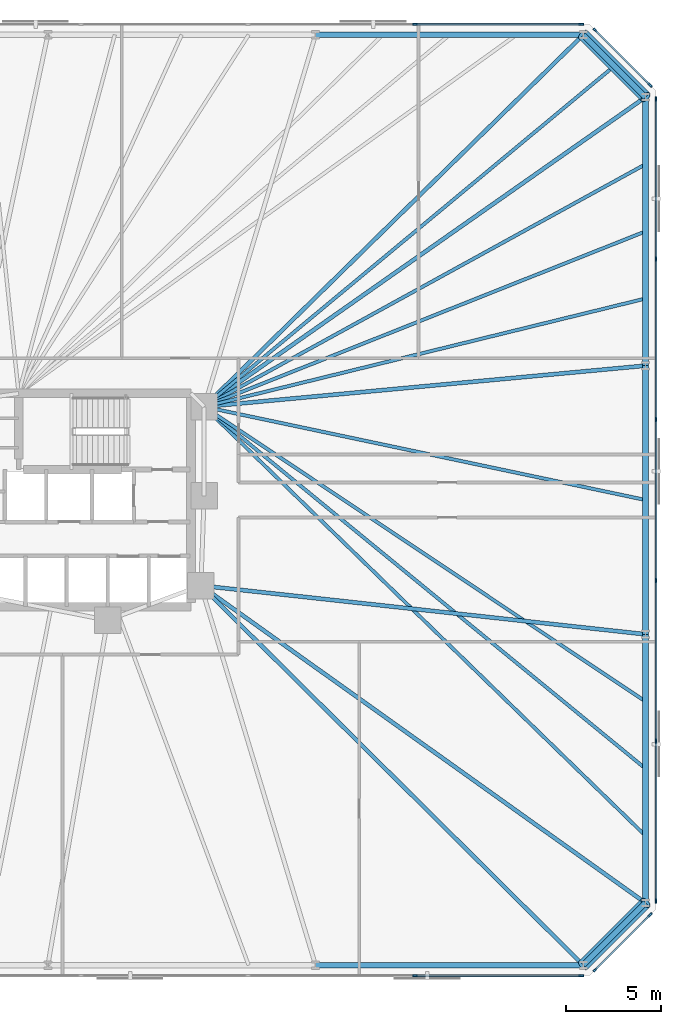
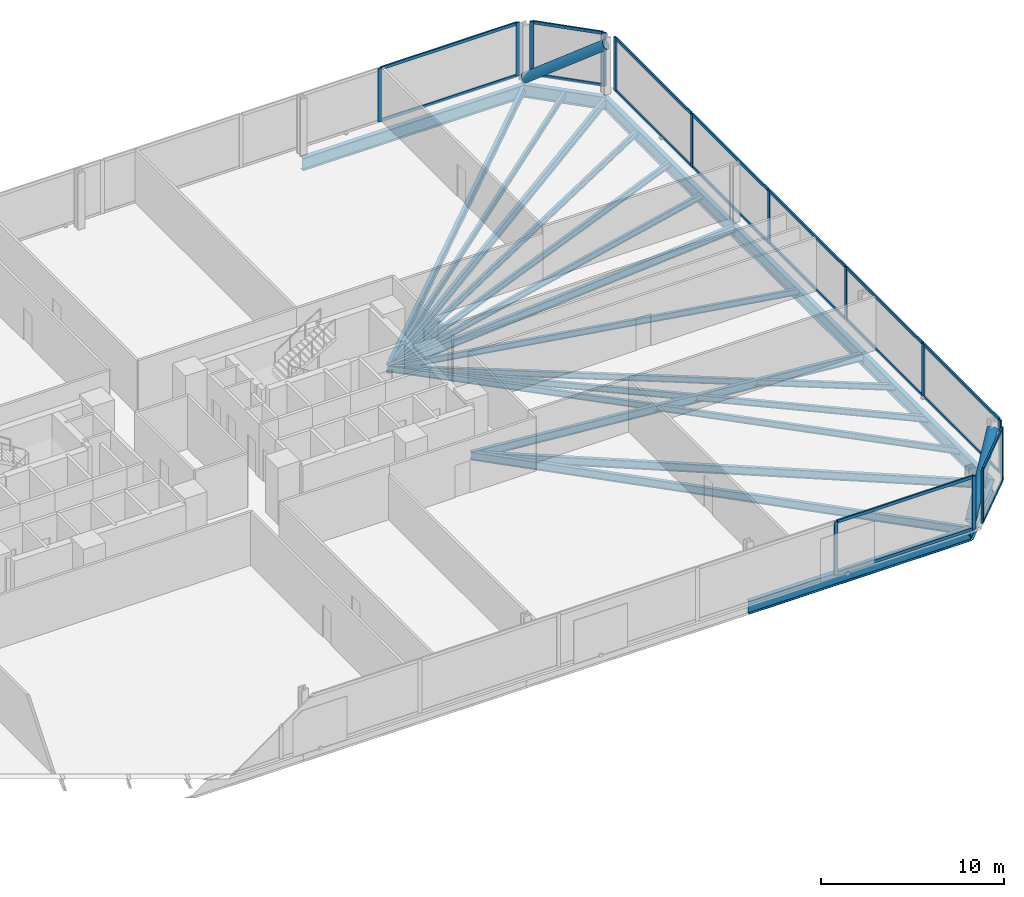
# One storey, part 10 of 17: 34 members, 21 beams, 5 elements without a shape of their own.
"""IFC4 building model written with IfcOpenShell, lengths in metres."""

from ifc_helpers import new_model, si_unit, direction, frame, origin, origin_2d, place, context, subcontext, project, spatial, rectangle, hollow_circle, i_section, extrude, material, material_profile, profile_set, type_object, element, aggregate, save


model = new_model("IFC4")

# Units and contexts
model_context = context("Model", 3, precision=1e-05, world=origin(), true_north=direction((0.0, 1.0)))
body_context = subcontext(model_context, "Body", "Model", "MODEL_VIEW")
ifc_project = project(units=[si_unit("LENGTHUNIT", "METRE"), si_unit("AREAUNIT", "SQUARE_METRE"), si_unit("VOLUMEUNIT", "CUBIC_METRE"), si_unit("PLANEANGLEUNIT", "RADIAN"), si_unit("MASSUNIT", "GRAM", prefix="KILO")], contexts=[model_context])

# Site, building, storey
site_placement = place(None, origin())
site = spatial("IfcSite", under=ifc_project, at=site_placement, CompositionType="ELEMENT")
building_placement = place(site_placement, origin())
building = spatial("IfcBuilding", under=site, at=building_placement, Name="Menara Jurai Vektor", CompositionType="ELEMENT")
storey_placement = place(building_placement, frame((0.0, 0.0, 48.39990234375)))
storey = spatial("IfcBuildingStorey", under=building, at=storey_placement, Name="L11", CompositionType="ELEMENT", Elevation=48.39990234375)

# Curtain wall, members
ifc_material_1 = material(Name="Anodised Pale Aluminium & Low-E Double Glazing", Category="aluminium")
curtain_wall_type = type_object("IfcCurtainWallType", Name="CW-BLK1", PredefinedType="NOTDEFINED", material=ifc_material_1)
curtain_wall_1_placement = place(storey_placement, origin())
curtain_wall_1 = element("IfcCurtainWall", 1, at=curtain_wall_1_placement, inside=storey, type_object=curtain_wall_type, Name="Unitised Curtain Wall L11 F01", PredefinedType="NOTDEFINED")
ifc_material_2 = material(Name="Anodised Pale Aluminium Mullion", Category="aluminium")
ifc_material_profile_1 = material_profile(ifc_material_2, rectangle(XDim=0.094970703125, YDim=0.239990234375, at=origin_2d()), Name="ALU MUL 95x240")
ifc_profile_set_1 = profile_set([ifc_material_profile_1], Name="Anodised Pale Aluminium Mullion")
member_type_1 = type_object("IfcMemberType", Name="CW-BLK1-MUL", PredefinedType="MULLION", material=ifc_profile_set_1)
member_1_placement = place(storey_placement, frame((26.340087890625, -25.0, 0.0), z_axis=(0.0, 0.0, 1.0), x_axis=(0.0, 1.0, 0.0)))
member_1 = element("IfcMember", 2, at=member_1_placement, type_object=member_type_1, Name="CW-01 mullion 8", PredefinedType="MULLION", context=body_context, shape_type="SweptSolid", body=[
    extrude(rectangle(XDim=0.094970703125, YDim=0.239990234375, at=origin_2d()), origin(), (0.0, 0.0, 1.0), 3.5751953125),
])
member_2_placement = place(storey_placement, frame((35.072509765625, -25.0, 0.0), z_axis=(0.0, 0.0, 1.0), x_axis=(0.0, 1.0, 0.0)))
member_2 = element("IfcMember", 3, at=member_2_placement, type_object=member_type_1, Name="CW-01 mullion 9", PredefinedType="MULLION", context=body_context, shape_type="SweptSolid", body=[
    extrude(rectangle(XDim=0.094970703125, YDim=0.239990234375, at=origin_2d()), origin(), (0.0, 0.0, 1.0), 3.5751953125),
])

curtain_wall_2_placement = place(storey_placement, origin())
curtain_wall_2 = element("IfcCurtainWall", 4, at=curtain_wall_2_placement, inside=storey, type_object=curtain_wall_type, Name="Unitised Curtain Wall L11 F02", PredefinedType="NOTDEFINED")
member_3_placement = place(storey_placement, frame((35.80224609375, -24.69775390625, 0.0), z_axis=(0.0, 0.0, 1.0), x_axis=(-0.707106781187, 0.707106781187, 0.0)))
member_3 = element("IfcMember", 5, at=member_3_placement, type_object=member_type_1, Name="CW-01 mullion 1", PredefinedType="MULLION", context=body_context, shape_type="SweptSolid", body=[
    extrude(rectangle(XDim=0.094970703125, YDim=0.239990234375, at=origin_2d()), origin(), (0.0, 0.0, 1.0), 3.5751953125),
])
member_4_placement = place(storey_placement, frame((38.69775390625, -21.80224609375, 0.0), z_axis=(0.0, 0.0, 1.0), x_axis=(-0.707106781187, 0.707106781187, 0.0)))
member_4 = element("IfcMember", 6, at=member_4_placement, type_object=member_type_1, Name="CW-01 mullion 2", PredefinedType="MULLION", context=body_context, shape_type="SweptSolid", body=[
    extrude(rectangle(XDim=0.094970703125, YDim=0.239990234375, at=origin_2d()), origin(), (0.0, 0.0, 1.0), 3.5751953125),
])

curtain_wall_3_placement = place(storey_placement, origin())
curtain_wall_3 = element("IfcCurtainWall", 7, at=curtain_wall_3_placement, inside=storey, type_object=curtain_wall_type, Name="Unitised Curtain Wall L11 F03", PredefinedType="NOTDEFINED")
member_5_placement = place(storey_placement, frame((39.0, -21.072509765625, 0.0), z_axis=(0.0, 0.0, 1.0), x_axis=(-1.0, 0.0, 0.0)))
member_5 = element("IfcMember", 8, at=member_5_placement, type_object=member_type_1, Name="CW-01 mullion 1", PredefinedType="MULLION", context=body_context, shape_type="SweptSolid", body=[
    extrude(rectangle(XDim=0.094970703125, YDim=0.239990234375, at=origin_2d()), origin(), (0.0, 0.0, 1.0), 3.5751953125),
])
member_6_placement = place(storey_placement, frame((39.0, -12.672119140625, 0.0), z_axis=(0.0, 0.0, 1.0), x_axis=(-1.0, 0.0, 0.0)))
member_6 = element("IfcMember", 9, at=member_6_placement, type_object=member_type_1, Name="CW-01 mullion 2", PredefinedType="MULLION", context=body_context, shape_type="SweptSolid", body=[
    extrude(rectangle(XDim=0.094970703125, YDim=0.239990234375, at=origin_2d()), origin(), (0.0, 0.0, 1.0), 3.5751953125),
])
member_7_placement = place(storey_placement, frame((39.0, -4.22412109375, 0.0), z_axis=(0.0, 0.0, 1.0), x_axis=(-1.0, 0.0, 0.0)))
member_7 = element("IfcMember", 10, at=member_7_placement, type_object=member_type_1, Name="CW-01 mullion 3", PredefinedType="MULLION", context=body_context, shape_type="SweptSolid", body=[
    extrude(rectangle(XDim=0.094970703125, YDim=0.239990234375, at=origin_2d()), origin(), (0.0, 0.0, 1.0), 3.5751953125),
])
member_8_placement = place(storey_placement, frame((39.0, 4.22412109375, 0.0), z_axis=(0.0, 0.0, 1.0), x_axis=(-1.0, 0.0, 0.0)))
member_8 = element("IfcMember", 11, at=member_8_placement, type_object=member_type_1, Name="CW-01 mullion 4", PredefinedType="MULLION", context=body_context, shape_type="SweptSolid", body=[
    extrude(rectangle(XDim=0.094970703125, YDim=0.239990234375, at=origin_2d()), origin(), (0.0, 0.0, 1.0), 3.5751953125),
])
member_9_placement = place(storey_placement, frame((39.0, 12.672119140625, 0.0), z_axis=(0.0, 0.0, 1.0), x_axis=(-1.0, 0.0, 0.0)))
member_9 = element("IfcMember", 12, at=member_9_placement, type_object=member_type_1, Name="CW-01 mullion 5", PredefinedType="MULLION", context=body_context, shape_type="SweptSolid", body=[
    extrude(rectangle(XDim=0.094970703125, YDim=0.239990234375, at=origin_2d()), origin(), (0.0, 0.0, 1.0), 3.5751953125),
])
member_10_placement = place(storey_placement, frame((39.0, 21.072509765625, 0.0), z_axis=(0.0, 0.0, 1.0), x_axis=(-1.0, 0.0, 0.0)))
member_10 = element("IfcMember", 13, at=member_10_placement, type_object=member_type_1, Name="CW-01 mullion 6", PredefinedType="MULLION", context=body_context, shape_type="SweptSolid", body=[
    extrude(rectangle(XDim=0.094970703125, YDim=0.239990234375, at=origin_2d()), origin(), (0.0, 0.0, 1.0), 3.5751953125),
])

curtain_wall_4_placement = place(storey_placement, origin())
curtain_wall_4 = element("IfcCurtainWall", 14, at=curtain_wall_4_placement, inside=storey, type_object=curtain_wall_type, Name="Unitised Curtain Wall L11 F04", PredefinedType="NOTDEFINED")
member_11_placement = place(storey_placement, frame((38.69775390625, 21.80224609375, 0.0), z_axis=(0.0, 0.0, 1.0), x_axis=(-0.707106781187, -0.707106781187, 0.0)))
member_11 = element("IfcMember", 15, at=member_11_placement, type_object=member_type_1, Name="CW-01 mullion 1", PredefinedType="MULLION", context=body_context, shape_type="SweptSolid", body=[
    extrude(rectangle(XDim=0.094970703125, YDim=0.239990234375, at=origin_2d()), origin(), (0.0, 0.0, 1.0), 3.5751953125),
])
member_12_placement = place(storey_placement, frame((35.80224609375, 24.69775390625, 0.0), z_axis=(0.0, 0.0, 1.0), x_axis=(-0.707106781187, -0.707106781187, 0.0)))
member_12 = element("IfcMember", 16, at=member_12_placement, type_object=member_type_1, Name="CW-01 mullion 2", PredefinedType="MULLION", context=body_context, shape_type="SweptSolid", body=[
    extrude(rectangle(XDim=0.094970703125, YDim=0.239990234375, at=origin_2d()), origin(), (0.0, 0.0, 1.0), 3.5751953125),
])

curtain_wall_5_placement = place(storey_placement, origin())
curtain_wall_5 = element("IfcCurtainWall", 17, at=curtain_wall_5_placement, inside=storey, type_object=curtain_wall_type, Name="Unitised Curtain Wall L11 F05", PredefinedType="NOTDEFINED")
member_13_placement = place(storey_placement, frame((35.072509765625, 25.0, 0.0), z_axis=(0.0, 0.0, 1.0), x_axis=(0.0, -1.0, 0.0)))
member_13 = element("IfcMember", 18, at=member_13_placement, type_object=member_type_1, Name="CW-01 mullion 1", PredefinedType="MULLION", context=body_context, shape_type="SweptSolid", body=[
    extrude(rectangle(XDim=0.094970703125, YDim=0.239990234375, at=origin_2d()), origin(), (0.0, 0.0, 1.0), 3.5751953125),
])
member_14_placement = place(storey_placement, frame((26.340087890625, 25.0, 0.0), z_axis=(0.0, 0.0, 1.0), x_axis=(0.0, -1.0, 0.0)))
member_14 = element("IfcMember", 19, at=member_14_placement, type_object=member_type_1, Name="CW-01 mullion 2", PredefinedType="MULLION", context=body_context, shape_type="SweptSolid", body=[
    extrude(rectangle(XDim=0.094970703125, YDim=0.239990234375, at=origin_2d()), origin(), (0.0, 0.0, 1.0), 3.5751953125),
])

# Member
ifc_material_3 = material(Name="Anodised Pale Aluminium Transom", Category="aluminium")
ifc_material_profile_2 = material_profile(ifc_material_3, rectangle(XDim=0.094970703125, YDim=0.199951171875, at=origin_2d()), Name="ALU TRN 95x200")
ifc_profile_set_2 = profile_set([ifc_material_profile_2], Name="Anodised Pale Aluminium Transom")
member_type_2 = type_object("IfcMemberType", Name="CW-BLK1-TRN", PredefinedType="USERDEFINED", material=ifc_profile_set_2)
member_15_placement = place(storey_placement, frame((26.387451171875, -25.0, 0.047607421875), z_axis=(1.0, 0.0, 0.0), x_axis=(0.0, 1.0, 0.0)))
member_15 = element("IfcMember", 20, at=member_15_placement, type_object=member_type_2, Name="CW-01 transom 8.1", ObjectType="TRANSOM", PredefinedType="USERDEFINED", context=body_context, shape_type="SweptSolid", body=[
    extrude(rectangle(XDim=0.094970703125, YDim=0.199951171875, at=origin_2d()), origin(), (0.0, 0.0, 1.0), 8.637451171875),
])

member_16_placement = place(storey_placement, frame((26.387451171875, -25.0, 3.527587890625), z_axis=(1.0, 0.0, 0.0), x_axis=(0.0, 1.0, 0.0)))
member_16 = element("IfcMember", 21, at=member_16_placement, type_object=member_type_2, Name="CW-01 transom 8.2", ObjectType="TRANSOM", PredefinedType="USERDEFINED", context=body_context, shape_type="SweptSolid", body=[
    extrude(rectangle(XDim=0.094970703125, YDim=0.199951171875, at=origin_2d()), origin(), (0.0, 0.0, 1.0), 8.637451171875),
])

aggregate(curtain_wall_1, [member_1, member_2, member_15, member_16])

member_17_placement = place(storey_placement, frame((35.8359375, -24.6640625, 0.047607421875), z_axis=(0.707106781187, 0.707106781187, 0.0), x_axis=(-0.707106781187, 0.707106781187, 0.0)))
member_17 = element("IfcMember", 22, at=member_17_placement, type_object=member_type_2, Name="CW-01 transom 1.1", ObjectType="TRANSOM", PredefinedType="USERDEFINED", context=body_context, shape_type="SweptSolid", body=[
    extrude(rectangle(XDim=0.094970703125, YDim=0.199951171875, at=origin_2d()), origin(), (0.0, 0.0, 1.0), 3.99951171875),
])

member_18_placement = place(storey_placement, frame((35.8359375, -24.6640625, 3.527587890625), z_axis=(0.707106781187, 0.707106781187, 0.0), x_axis=(-0.707106781187, 0.707106781187, 0.0)))
member_18 = element("IfcMember", 23, at=member_18_placement, type_object=member_type_2, Name="CW-01 transom 1.2", ObjectType="TRANSOM", PredefinedType="USERDEFINED", context=body_context, shape_type="SweptSolid", body=[
    extrude(rectangle(XDim=0.094970703125, YDim=0.199951171875, at=origin_2d()), origin(), (0.0, 0.0, 1.0), 3.99951171875),
])

aggregate(curtain_wall_2, [member_3, member_4, member_17, member_18])

member_19_placement = place(storey_placement, frame((39.0, -21.02490234375, 0.047607421875), z_axis=(0.0, 1.0, 0.0), x_axis=(-1.0, 0.0, 0.0)))
member_19 = element("IfcMember", 24, at=member_19_placement, type_object=member_type_2, Name="CW-01 transom 1.1", ObjectType="TRANSOM", PredefinedType="USERDEFINED", context=body_context, shape_type="SweptSolid", body=[
    extrude(rectangle(XDim=0.094970703125, YDim=0.199951171875, at=origin_2d()), origin(), (0.0, 0.0, 1.0), 8.305419921875),
])

member_20_placement = place(storey_placement, frame((39.0, -21.02490234375, 3.527587890625), z_axis=(0.0, 1.0, 0.0), x_axis=(-1.0, 0.0, 0.0)))
member_20 = element("IfcMember", 25, at=member_20_placement, type_object=member_type_2, Name="CW-01 transom 1.2", ObjectType="TRANSOM", PredefinedType="USERDEFINED", context=body_context, shape_type="SweptSolid", body=[
    extrude(rectangle(XDim=0.094970703125, YDim=0.199951171875, at=origin_2d()), origin(), (0.0, 0.0, 1.0), 8.305419921875),
])

member_21_placement = place(storey_placement, frame((39.0, -12.62451171875, 0.047607421875), z_axis=(0.0, 1.0, 0.0), x_axis=(-1.0, 0.0, 0.0)))
member_21 = element("IfcMember", 26, at=member_21_placement, type_object=member_type_2, Name="CW-01 transom 2.1", ObjectType="TRANSOM", PredefinedType="USERDEFINED", context=body_context, shape_type="SweptSolid", body=[
    extrude(rectangle(XDim=0.094970703125, YDim=0.199951171875, at=origin_2d()), origin(), (0.0, 0.0, 1.0), 8.35302734375),
])

member_22_placement = place(storey_placement, frame((39.0, -12.62451171875, 3.527587890625), z_axis=(0.0, 1.0, 0.0), x_axis=(-1.0, 0.0, 0.0)))
member_22 = element("IfcMember", 27, at=member_22_placement, type_object=member_type_2, Name="CW-01 transom 2.2", ObjectType="TRANSOM", PredefinedType="USERDEFINED", context=body_context, shape_type="SweptSolid", body=[
    extrude(rectangle(XDim=0.094970703125, YDim=0.199951171875, at=origin_2d()), origin(), (0.0, 0.0, 1.0), 8.35302734375),
])

member_23_placement = place(storey_placement, frame((39.0, -4.176513671875, 0.047607421875), z_axis=(0.0, 1.0, 0.0), x_axis=(-1.0, 0.0, 0.0)))
member_23 = element("IfcMember", 28, at=member_23_placement, type_object=member_type_2, Name="CW-01 transom 3.1", ObjectType="TRANSOM", PredefinedType="USERDEFINED", context=body_context, shape_type="SweptSolid", body=[
    extrude(rectangle(XDim=0.094970703125, YDim=0.199951171875, at=origin_2d()), origin(), (0.0, 0.0, 1.0), 8.35302734375),
])

member_24_placement = place(storey_placement, frame((39.0, -4.176513671875, 3.527587890625), z_axis=(0.0, 1.0, 0.0), x_axis=(-1.0, 0.0, 0.0)))
member_24 = element("IfcMember", 29, at=member_24_placement, type_object=member_type_2, Name="CW-01 transom 3.2", ObjectType="TRANSOM", PredefinedType="USERDEFINED", context=body_context, shape_type="SweptSolid", body=[
    extrude(rectangle(XDim=0.094970703125, YDim=0.199951171875, at=origin_2d()), origin(), (0.0, 0.0, 1.0), 8.35302734375),
])

member_25_placement = place(storey_placement, frame((39.0, 4.271484375, 0.047607421875), z_axis=(0.0, 1.0, 0.0), x_axis=(-1.0, 0.0, 0.0)))
member_25 = element("IfcMember", 30, at=member_25_placement, type_object=member_type_2, Name="CW-01 transom 4.1", ObjectType="TRANSOM", PredefinedType="USERDEFINED", context=body_context, shape_type="SweptSolid", body=[
    extrude(rectangle(XDim=0.094970703125, YDim=0.199951171875, at=origin_2d()), origin(), (0.0, 0.0, 1.0), 8.35302734375),
])

member_26_placement = place(storey_placement, frame((39.0, 4.271484375, 3.527587890625), z_axis=(0.0, 1.0, 0.0), x_axis=(-1.0, 0.0, 0.0)))
member_26 = element("IfcMember", 31, at=member_26_placement, type_object=member_type_2, Name="CW-01 transom 4.2", ObjectType="TRANSOM", PredefinedType="USERDEFINED", context=body_context, shape_type="SweptSolid", body=[
    extrude(rectangle(XDim=0.094970703125, YDim=0.199951171875, at=origin_2d()), origin(), (0.0, 0.0, 1.0), 8.35302734375),
])

member_27_placement = place(storey_placement, frame((39.0, 12.719482421875, 0.047607421875), z_axis=(0.0, 1.0, 0.0), x_axis=(-1.0, 0.0, 0.0)))
member_27 = element("IfcMember", 32, at=member_27_placement, type_object=member_type_2, Name="CW-01 transom 5.1", ObjectType="TRANSOM", PredefinedType="USERDEFINED", context=body_context, shape_type="SweptSolid", body=[
    extrude(rectangle(XDim=0.094970703125, YDim=0.199951171875, at=origin_2d()), origin(), (0.0, 0.0, 1.0), 8.305419921875),
])

member_28_placement = place(storey_placement, frame((39.0, 12.719482421875, 3.527587890625), z_axis=(0.0, 1.0, 0.0), x_axis=(-1.0, 0.0, 0.0)))
member_28 = element("IfcMember", 33, at=member_28_placement, type_object=member_type_2, Name="CW-01 transom 5.2", ObjectType="TRANSOM", PredefinedType="USERDEFINED", context=body_context, shape_type="SweptSolid", body=[
    extrude(rectangle(XDim=0.094970703125, YDim=0.199951171875, at=origin_2d()), origin(), (0.0, 0.0, 1.0), 8.305419921875),
])

aggregate(curtain_wall_3, [member_5, member_6, member_7, member_8, member_9, member_10, member_19, member_20, member_21, member_22, member_23, member_24, member_25, member_26, member_27, member_28])

member_29_placement = place(storey_placement, frame((38.6640625, 21.8359375, 0.047607421875), z_axis=(-0.707106781187, 0.707106781187, 0.0), x_axis=(-0.707106781187, -0.707106781187, 0.0)))
member_29 = element("IfcMember", 34, at=member_29_placement, type_object=member_type_2, Name="CW-01 transom 1.1", ObjectType="TRANSOM", PredefinedType="USERDEFINED", context=body_context, shape_type="SweptSolid", body=[
    extrude(rectangle(XDim=0.094970703125, YDim=0.199951171875, at=origin_2d()), origin(), (0.0, 0.0, 1.0), 3.99951171875),
])

member_30_placement = place(storey_placement, frame((38.6640625, 21.8359375, 3.527587890625), z_axis=(-0.707106781187, 0.707106781187, 0.0), x_axis=(-0.707106781187, -0.707106781187, 0.0)))
member_30 = element("IfcMember", 35, at=member_30_placement, type_object=member_type_2, Name="CW-01 transom 1.2", ObjectType="TRANSOM", PredefinedType="USERDEFINED", context=body_context, shape_type="SweptSolid", body=[
    extrude(rectangle(XDim=0.094970703125, YDim=0.199951171875, at=origin_2d()), origin(), (0.0, 0.0, 1.0), 3.99951171875),
])

aggregate(curtain_wall_4, [member_11, member_12, member_29, member_30])

member_31_placement = place(storey_placement, frame((35.02490234375, 25.0, 0.047607421875), z_axis=(-1.0, 0.0, 0.0), x_axis=(0.0, -1.0, 0.0)))
member_31 = element("IfcMember", 36, at=member_31_placement, type_object=member_type_2, Name="CW-01 transom 1.1", ObjectType="TRANSOM", PredefinedType="USERDEFINED", context=body_context, shape_type="SweptSolid", body=[
    extrude(rectangle(XDim=0.094970703125, YDim=0.199951171875, at=origin_2d()), origin(), (0.0, 0.0, 1.0), 8.637451171875),
])

member_32_placement = place(storey_placement, frame((35.02490234375, 25.0, 3.527587890625), z_axis=(-1.0, 0.0, 0.0), x_axis=(0.0, -1.0, 0.0)))
member_32 = element("IfcMember", 37, at=member_32_placement, type_object=member_type_2, Name="CW-01 transom 1.2", ObjectType="TRANSOM", PredefinedType="USERDEFINED", context=body_context, shape_type="SweptSolid", body=[
    extrude(rectangle(XDim=0.094970703125, YDim=0.199951171875, at=origin_2d()), origin(), (0.0, 0.0, 1.0), 8.637451171875),
])

aggregate(curtain_wall_5, [member_13, member_14, member_31, member_32])

# Beams
ifc_material_4 = material(Name="Steel S355", Category="steel")
ifc_material_profile_3 = material_profile(ifc_material_4, i_section(OverallWidth=0.2109375, OverallDepth=0.5390625, WebThickness=0.011962890625, FlangeThickness=0.01904296875, FilletRadius=0.012939453125, at=origin_2d()), Name="UKB 533x210x109")
ifc_profile_set_3 = profile_set([ifc_material_profile_3], Name="Steel S355")
beam_type_1 = type_object("IfcBeamType", Name="STR-BM-533", PredefinedType="BEAM", material=ifc_profile_set_3)
beam_1_placement = place(storey_placement, frame((35.177734375, -24.449951171875, -0.494384765625), z_axis=(-0.709709931659, 0.704494011972, 0.0), x_axis=(-0.704494011972, -0.709709931659, 0.0)))
element("IfcBeam", 38, at=beam_1_placement, inside=storey, type_object=beam_type_1, Name="Radial Floor Girder L11-S6", PredefinedType="BEAM", context=body_context, shape_type="SweptSolid", body=[
    extrude(i_section(OverallWidth=0.2109375, OverallDepth=0.5390625, WebThickness=0.011962890625, FlangeThickness=0.01904296875, FilletRadius=0.012939453125, at=origin_2d()), origin(), (0.0, 0.0, 1.0), 28.318115234375),
])
beam_2_placement = place(storey_placement, frame((38.449951171875, -21.177734375, -0.494384765625), z_axis=(-0.813981033216, 0.580891450759, 0.0), x_axis=(-0.580891450759, -0.813981033216, 0.0)))
element("IfcBeam", 39, at=beam_2_placement, inside=storey, type_object=beam_type_1, Name="Radial Floor Girder L11-E1", PredefinedType="BEAM", context=body_context, shape_type="SweptSolid", body=[
    extrude(i_section(OverallWidth=0.2109375, OverallDepth=0.5390625, WebThickness=0.011962890625, FlangeThickness=0.01904296875, FilletRadius=0.012939453125, at=origin_2d()), origin(), (0.0, 0.0, 1.0), 28.710693359375),
])
beam_3_placement = place(storey_placement, frame((38.449951171875, -7.059326171875, -0.494384765625), z_axis=(-0.994056757953, 0.108863042253, 0.0), x_axis=(-0.108863042253, -0.994056757953, 0.0)))
element("IfcBeam", 40, at=beam_3_placement, inside=storey, type_object=beam_type_1, Name="Radial Floor Girder L11-E2", PredefinedType="BEAM", context=body_context, shape_type="SweptSolid", body=[
    extrude(i_section(OverallWidth=0.2109375, OverallDepth=0.5390625, WebThickness=0.011962890625, FlangeThickness=0.01904296875, FilletRadius=0.012939453125, at=origin_2d()), origin(), (0.0, 0.0, 1.0), 23.509521484375),
])
beam_4_placement = place(storey_placement, frame((38.449951171875, 7.059326171875, -0.494384765625), z_axis=(-0.995696113112, -0.092678208514, 0.0), x_axis=(0.092678208514, -0.995696113112, 0.0)))
element("IfcBeam", 41, at=beam_4_placement, inside=storey, type_object=beam_type_1, Name="Radial Floor Girder L11-E3", PredefinedType="BEAM", context=body_context, shape_type="SweptSolid", body=[
    extrude(i_section(OverallWidth=0.2109375, OverallDepth=0.5390625, WebThickness=0.011962890625, FlangeThickness=0.01904296875, FilletRadius=0.012939453125, at=origin_2d()), origin(), (0.0, 0.0, 1.0), 23.30029296875),
])
beam_5_placement = place(storey_placement, frame((38.449951171875, 21.177734375, -0.494384765625), z_axis=(-0.818603732445, -0.574358711283, 0.0), x_axis=(0.574358711283, -0.818603732445, 0.0)))
element("IfcBeam", 42, at=beam_5_placement, inside=storey, type_object=beam_type_1, Name="Radial Floor Girder L11-E4", PredefinedType="BEAM", context=body_context, shape_type="SweptSolid", body=[
    extrude(i_section(OverallWidth=0.2109375, OverallDepth=0.5390625, WebThickness=0.011962890625, FlangeThickness=0.01904296875, FilletRadius=0.012939453125, at=origin_2d()), origin(), (0.0, 0.0, 1.0), 28.3408203125),
])
beam_6_placement = place(storey_placement, frame((35.177734375, 24.449951171875, -0.494384765625), z_axis=(-0.713839032855, -0.700309813706, 0.0), x_axis=(0.700309813706, -0.713839032855, 0.0)))
element("IfcBeam", 43, at=beam_6_placement, inside=storey, type_object=beam_type_1, Name="Radial Floor Girder L11-N1", PredefinedType="BEAM", context=body_context, shape_type="SweptSolid", body=[
    extrude(i_section(OverallWidth=0.2109375, OverallDepth=0.5390625, WebThickness=0.011962890625, FlangeThickness=0.01904296875, FilletRadius=0.012939453125, at=origin_2d()), origin(), (0.0, 0.0, 1.0), 27.916259765625),
])

# Members
ifc_material_5 = material(Name="Steel S460", Category="steel")
ifc_material_profile_4 = material_profile(ifc_material_5, hollow_circle(Radius=0.304931640625, WallThickness=0.02490234375, at=origin_2d()), Name="CHS 610x25")
ifc_profile_set_4 = profile_set([ifc_material_profile_4], Name="Steel S460")
member_type_3 = type_object("IfcMemberType", Name="STR-BR-610", PredefinedType="BRACE", material=ifc_profile_set_4)
for number, where, z_axis, x_axis, name in (
    (44, (35.177734375, -24.449951171875, 0.150146484375), (0.588942422958, 0.588942422958, 0.553438022619), (-0.707106781187, 0.707106781187, 0.0), "Exoskeleton Corner Brace L11-1"),
    (45, (35.177734375, 24.449951171875, 0.150146484375), (0.588942422958, -0.588942422958, 0.553438022619), (0.707106781187, 0.707106781187, 0.0), "Exoskeleton Corner Brace L11-2"),
):
    element("IfcMember", number, at=place(storey_placement, frame(where, z_axis=z_axis, x_axis=x_axis)), inside=storey, type_object=member_type_3, Name=name, PredefinedType="BRACE", context=body_context, shape_type="SweptSolid", body=[
        extrude(hollow_circle(Radius=0.304931640625, WallThickness=0.02490234375, at=origin_2d()), origin(), (0.0, 0.0, 1.0), 5.55615234375),
    ])

# Beams
ifc_material_profile_5 = material_profile(ifc_material_4, i_section(OverallWidth=0.178955078125, OverallDepth=0.408935546875, WebThickness=0.009033203125, FlangeThickness=0.013916015625, FilletRadius=0.010009765625, at=origin_2d()), Name="UKB 406x178x67")
ifc_profile_set_5 = profile_set([ifc_material_profile_5], Name="Steel S355")
beam_type_2 = type_object("IfcBeamType", Name="STR-JS-406", PredefinedType="JOIST", material=ifc_profile_set_5)
beam_7_placement = place(storey_placement, frame((38.449951171875, -17.648193359375, -0.429443359375), z_axis=(-0.71710942187, 0.696960599363, 0.0), x_axis=(-0.696960599363, -0.71710942187, 0.0)))
element("IfcBeam", 46, at=beam_7_placement, inside=storey, type_object=beam_type_2, Name="Radial Secondary Floor Joist L11-JS08", PredefinedType="JOIST", context=body_context, shape_type="SweptSolid", body=[
    extrude(i_section(OverallWidth=0.178955078125, OverallDepth=0.408935546875, WebThickness=0.009033203125, FlangeThickness=0.013916015625, FilletRadius=0.010009765625, at=origin_2d()), origin(), (0.0, 0.0, 1.0), 32.35205078125),
])
beam_8_placement = place(storey_placement, frame((38.449951171875, -14.118408203125, -0.429443359375), z_axis=(-0.773360118456, 0.633966976413, 0.0), x_axis=(-0.633966976413, -0.773360118456, 0.0)))
element("IfcBeam", 47, at=beam_8_placement, inside=storey, type_object=beam_type_2, Name="Radial Secondary Floor Joist L11-JS09", PredefinedType="JOIST", context=body_context, shape_type="SweptSolid", body=[
    extrude(i_section(OverallWidth=0.178955078125, OverallDepth=0.408935546875, WebThickness=0.009033203125, FlangeThickness=0.013916015625, FilletRadius=0.010009765625, at=origin_2d()), origin(), (0.0, 0.0, 1.0), 29.998779296875),
])
beam_9_placement = place(storey_placement, frame((38.449951171875, -10.5888671875, -0.429443359375), z_axis=(-0.831683872109, 0.555249436627, 0.0), x_axis=(-0.555249436627, -0.831683872109, 0.0)))
element("IfcBeam", 48, at=beam_9_placement, inside=storey, type_object=beam_type_2, Name="Radial Secondary Floor Joist L11-JS10", PredefinedType="JOIST", context=body_context, shape_type="SweptSolid", body=[
    extrude(i_section(OverallWidth=0.178955078125, OverallDepth=0.408935546875, WebThickness=0.009033203125, FlangeThickness=0.013916015625, FilletRadius=0.010009765625, at=origin_2d()), origin(), (0.0, 0.0, 1.0), 27.895263671875),
])
beam_10_placement = place(storey_placement, frame((38.449951171875, 0.0, -0.429443359375), z_axis=(-0.978416084102, 0.206644541109, 0.0), x_axis=(-0.206644541109, -0.978416084102, 0.0)))
element("IfcBeam", 49, at=beam_10_placement, inside=storey, type_object=beam_type_2, Name="Radial Secondary Floor Joist L11-JS11", PredefinedType="JOIST", context=body_context, shape_type="SweptSolid", body=[
    extrude(i_section(OverallWidth=0.178955078125, OverallDepth=0.408935546875, WebThickness=0.009033203125, FlangeThickness=0.013916015625, FilletRadius=0.010009765625, at=origin_2d()), origin(), (0.0, 0.0, 1.0), 23.711669921875),
])
beam_11_placement = place(storey_placement, frame((38.449951171875, 10.5888671875, -0.429443359375), z_axis=(-0.971226234641, -0.238158772976, 0.0), x_axis=(0.238158772976, -0.971226234641, 0.0)))
element("IfcBeam", 50, at=beam_11_placement, inside=storey, type_object=beam_type_2, Name="Radial Secondary Floor Joist L11-JS12", PredefinedType="JOIST", context=body_context, shape_type="SweptSolid", body=[
    extrude(i_section(OverallWidth=0.178955078125, OverallDepth=0.408935546875, WebThickness=0.009033203125, FlangeThickness=0.013916015625, FilletRadius=0.010009765625, at=origin_2d()), origin(), (0.0, 0.0, 1.0), 23.88720703125),
])
beam_12_placement = place(storey_placement, frame((38.449951171875, 14.118408203125, -0.429443359375), z_axis=(-0.929323400723, -0.369266864027, 0.0), x_axis=(0.369266864027, -0.929323400723, 0.0)))
element("IfcBeam", 51, at=beam_12_placement, inside=storey, type_object=beam_type_2, Name="Radial Secondary Floor Joist L11-JS13", PredefinedType="JOIST", context=body_context, shape_type="SweptSolid", body=[
    extrude(i_section(OverallWidth=0.178955078125, OverallDepth=0.408935546875, WebThickness=0.009033203125, FlangeThickness=0.013916015625, FilletRadius=0.010009765625, at=origin_2d()), origin(), (0.0, 0.0, 1.0), 24.96435546875),
])
beam_13_placement = place(storey_placement, frame((38.449951171875, 17.648193359375, -0.429443359375), z_axis=(-0.87640219057, -0.481579900291, 0.0), x_axis=(0.481579900291, -0.87640219057, 0.0)))
element("IfcBeam", 52, at=beam_13_placement, inside=storey, type_object=beam_type_2, Name="Radial Secondary Floor Joist L11-JS14", PredefinedType="JOIST", context=body_context, shape_type="SweptSolid", body=[
    extrude(i_section(OverallWidth=0.178955078125, OverallDepth=0.408935546875, WebThickness=0.009033203125, FlangeThickness=0.013916015625, FilletRadius=0.010009765625, at=origin_2d()), origin(), (0.0, 0.0, 1.0), 26.471923828125),
])
beam_14_placement = place(storey_placement, frame((36.81396484375, 22.81396484375, -0.429443359375), z_axis=(-0.769201173096, -0.639006694259, 0.0), x_axis=(0.639006694259, -0.769201173096, 0.0)))
element("IfcBeam", 53, at=beam_14_placement, inside=storey, type_object=beam_type_2, Name="Radial Secondary Floor Joist L11-JS15", PredefinedType="JOIST", context=body_context, shape_type="SweptSolid", body=[
    extrude(i_section(OverallWidth=0.178955078125, OverallDepth=0.408935546875, WebThickness=0.009033203125, FlangeThickness=0.013916015625, FilletRadius=0.010009765625, at=origin_2d()), origin(), (0.0, 0.0, 1.0), 28.0341796875),
])
ifc_material_profile_6 = material_profile(ifc_material_5, i_section(OverallWidth=0.2939453125, OverallDepth=0.85107421875, WebThickness=0.01611328125, FlangeThickness=0.027099609375, FilletRadius=0.01806640625, at=origin_2d()), Name="UKB 838x292x226")
ifc_profile_set_6 = profile_set([ifc_material_profile_6], Name="Steel S460")
beam_type_3 = type_object("IfcBeamType", Name="STR-SP-838", PredefinedType="SPANDREL", material=ifc_profile_set_6)
beam_15_placement = place(storey_placement, frame((21.106689453125, -24.449951171875, -0.650390625), z_axis=(1.0, 0.0, 0.0), x_axis=(0.0, 1.0, 0.0)))
element("IfcBeam", 54, at=beam_15_placement, inside=storey, type_object=beam_type_3, Name="Exoskeleton Spandrel Beam L11-05", PredefinedType="SPANDREL", context=body_context, shape_type="SweptSolid", body=[
    extrude(i_section(OverallWidth=0.2939453125, OverallDepth=0.85107421875, WebThickness=0.01611328125, FlangeThickness=0.027099609375, FilletRadius=0.01806640625, at=origin_2d()), origin(), (0.0, 0.0, 1.0), 14.071044921875),
])
beam_16_placement = place(storey_placement, frame((35.177734375, -24.449951171875, -0.650390625), z_axis=(0.707106781187, 0.707106781187, 0.0), x_axis=(-0.707106781187, 0.707106781187, 0.0)))
element("IfcBeam", 55, at=beam_16_placement, inside=storey, type_object=beam_type_3, Name="Exoskeleton Spandrel Beam L11-06", PredefinedType="SPANDREL", context=body_context, shape_type="SweptSolid", body=[
    extrude(i_section(OverallWidth=0.2939453125, OverallDepth=0.85107421875, WebThickness=0.01611328125, FlangeThickness=0.027099609375, FilletRadius=0.01806640625, at=origin_2d()), origin(), (0.0, 0.0, 1.0), 4.627685546875),
])
beam_17_placement = place(storey_placement, frame((38.449951171875, -21.177734375, -0.650390625), z_axis=(0.0, 1.0, 0.0), x_axis=(-1.0, 0.0, 0.0)))
element("IfcBeam", 56, at=beam_17_placement, inside=storey, type_object=beam_type_3, Name="Exoskeleton Spandrel Beam L11-07", PredefinedType="SPANDREL", context=body_context, shape_type="SweptSolid", body=[
    extrude(i_section(OverallWidth=0.2939453125, OverallDepth=0.85107421875, WebThickness=0.01611328125, FlangeThickness=0.027099609375, FilletRadius=0.01806640625, at=origin_2d()), origin(), (0.0, 0.0, 1.0), 14.118408203125),
])
beam_18_placement = place(storey_placement, frame((38.449951171875, -7.059326171875, -0.650390625), z_axis=(0.0, 1.0, 0.0), x_axis=(-1.0, 0.0, 0.0)))
element("IfcBeam", 57, at=beam_18_placement, inside=storey, type_object=beam_type_3, Name="Exoskeleton Spandrel Beam L11-08", PredefinedType="SPANDREL", context=body_context, shape_type="SweptSolid", body=[
    extrude(i_section(OverallWidth=0.2939453125, OverallDepth=0.85107421875, WebThickness=0.01611328125, FlangeThickness=0.027099609375, FilletRadius=0.01806640625, at=origin_2d()), origin(), (0.0, 0.0, 1.0), 14.11865234375),
])
beam_19_placement = place(storey_placement, frame((38.449951171875, 7.059326171875, -0.650390625), z_axis=(0.0, 1.0, 0.0), x_axis=(-1.0, 0.0, 0.0)))
element("IfcBeam", 58, at=beam_19_placement, inside=storey, type_object=beam_type_3, Name="Exoskeleton Spandrel Beam L11-09", PredefinedType="SPANDREL", context=body_context, shape_type="SweptSolid", body=[
    extrude(i_section(OverallWidth=0.2939453125, OverallDepth=0.85107421875, WebThickness=0.01611328125, FlangeThickness=0.027099609375, FilletRadius=0.01806640625, at=origin_2d()), origin(), (0.0, 0.0, 1.0), 14.118408203125),
])
beam_20_placement = place(storey_placement, frame((38.449951171875, 21.177734375, -0.650390625), z_axis=(-0.707106781187, 0.707106781187, 0.0), x_axis=(-0.707106781187, -0.707106781187, 0.0)))
element("IfcBeam", 59, at=beam_20_placement, inside=storey, type_object=beam_type_3, Name="Exoskeleton Spandrel Beam L11-10", PredefinedType="SPANDREL", context=body_context, shape_type="SweptSolid", body=[
    extrude(i_section(OverallWidth=0.2939453125, OverallDepth=0.85107421875, WebThickness=0.01611328125, FlangeThickness=0.027099609375, FilletRadius=0.01806640625, at=origin_2d()), origin(), (0.0, 0.0, 1.0), 4.627685546875),
])
beam_21_placement = place(storey_placement, frame((35.177734375, 24.449951171875, -0.650390625), z_axis=(-1.0, 0.0, 0.0), x_axis=(0.0, -1.0, 0.0)))
element("IfcBeam", 60, at=beam_21_placement, inside=storey, type_object=beam_type_3, Name="Exoskeleton Spandrel Beam L11-11", PredefinedType="SPANDREL", context=body_context, shape_type="SweptSolid", body=[
    extrude(i_section(OverallWidth=0.2939453125, OverallDepth=0.85107421875, WebThickness=0.01611328125, FlangeThickness=0.027099609375, FilletRadius=0.01806640625, at=origin_2d()), origin(), (0.0, 0.0, 1.0), 14.071044921875),
])

save(model, "model.ifc")
